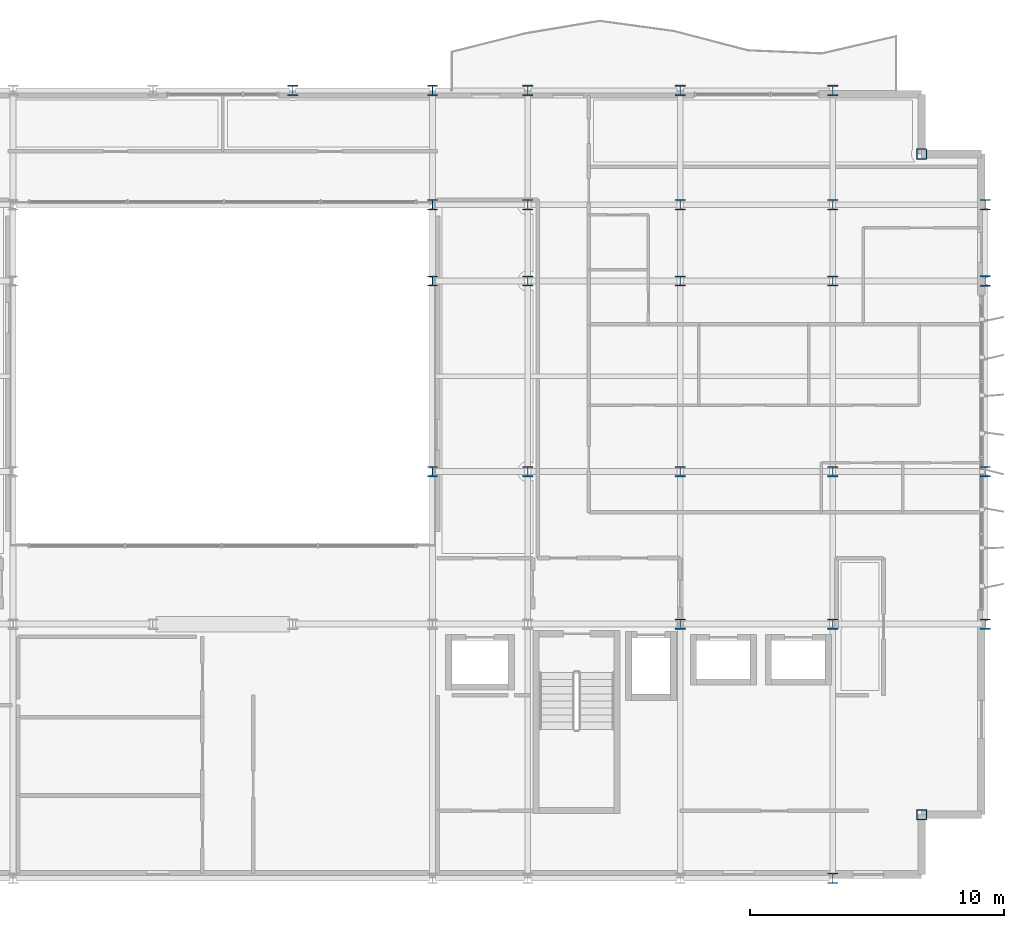
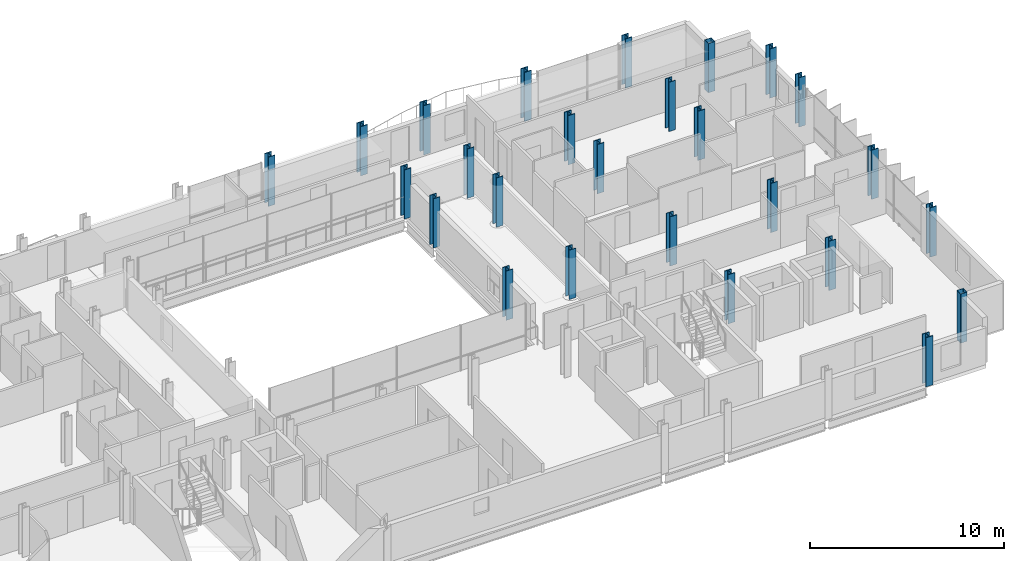
# One storey, part 2 of 38: 26 columns.
"""IFC4 building model written with IfcOpenShell, lengths in metres."""

from ifc_helpers import new_model, si_unit, direction, frame, origin, origin_2d, place, context, subcontext, project, spatial, hollow_rectangle, i_section, extrude, material, material_profile, profile_set, type_object, element, save


model = new_model("IFC4")

# Units and contexts
model_context = context("Model", 3, precision=1e-05, world=origin(), true_north=direction((0.0, 1.0)))
body_context = subcontext(model_context, "Body", "Model", "MODEL_VIEW")
ifc_project = project(units=[si_unit("LENGTHUNIT", "METRE"), si_unit("AREAUNIT", "SQUARE_METRE"), si_unit("VOLUMEUNIT", "CUBIC_METRE"), si_unit("PLANEANGLEUNIT", "RADIAN"), si_unit("MASSUNIT", "GRAM", prefix="KILO")], contexts=[model_context])

# Site, building, storey
site_placement = place(None, origin())
site = spatial("IfcSite", under=ifc_project, at=site_placement, CompositionType="ELEMENT")
building_placement = place(site_placement, origin())
building = spatial("IfcBuilding", under=site, at=building_placement, Name="Brevholm Reach", CompositionType="ELEMENT")
storey_placement = place(building_placement, frame((0.0, 0.0, 166.60009765625)))
storey = spatial("IfcBuildingStorey", under=building, at=storey_placement, Name="L50", CompositionType="ELEMENT", Elevation=166.60009765625)

# Columns
ifc_material_1 = material(Name="Structural Steel S460NH", Category="steel")
ifc_material_profile_1 = material_profile(ifc_material_1, hollow_rectangle(XDim=0.39990234375, YDim=0.39990234375, WallThickness=0.02001953125, InnerFilletRadius=0.011962890625, OuterFilletRadius=0.02392578125, at=origin_2d()), Name="SHS 400x400x20")
ifc_profile_set_1 = profile_set([ifc_material_profile_1], Name="Structural Steel S460NH")
column_type_1 = type_object("IfcColumnType", Name="COL-SHS2", PredefinedType="COLUMN", material=ifc_profile_set_1)
for number, where, z_axis, x_axis, name in (
    (1, (57.5, 2.5, 0.0), (0.0, 0.0, 1.0), (1.0, 0.0, 0.0), "L50 Column 59"),
    (2, (57.5, 28.5, 0.0), (0.0, 0.0, 1.0), (1.0, 0.0, 0.0), "L50 Column 60"),
):
    element("IfcColumn", number, at=place(storey_placement, frame(where, z_axis=z_axis, x_axis=x_axis)), inside=storey, type_object=column_type_1, Name=name, PredefinedType="COLUMN", context=body_context, shape_type="SweptSolid", body=[
        extrude(hollow_rectangle(XDim=0.39990234375, YDim=0.39990234375, WallThickness=0.02001953125, InnerFilletRadius=0.011962890625, OuterFilletRadius=0.02392578125, at=origin_2d()), origin(), (0.0, 0.0, 1.0), 3.099853515625),
    ])
ifc_material_2 = material(Name="Structural Steel S355J2", Category="steel")
ifc_material_profile_2 = material_profile(ifc_material_2, i_section(OverallWidth=0.406982421875, OverallDepth=0.4189453125, WebThickness=0.030517578125, FlangeThickness=0.04931640625, FilletRadius=0.01513671875, at=origin_2d()), Name="UKC 356x406x393")
ifc_profile_set_2 = profile_set([ifc_material_profile_2], Name="Structural Steel S355J2")
column_type_2 = type_object("IfcColumnType", Name="COL-UC4", PredefinedType="COLUMN", material=ifc_profile_set_2)
for number, where, z_axis, x_axis, name in (
    (3, (32.75, 31.0, 0.0), (0.0, 0.0, 1.0), (1.0, 0.0, 0.0), "L50 Column 34"),
    (4, (38.25, 31.0, 0.0), (0.0, 0.0, 1.0), (1.0, 0.0, 0.0), "L50 Column 40"),
    (5, (42.0, 31.0, 0.0), (0.0, 0.0, 1.0), (1.0, 0.0, 0.0), "L50 Column 46"),
    (6, (48.0, 31.0, 0.0), (0.0, 0.0, 1.0), (1.0, 0.0, 0.0), "L50 Column 52"),
    (7, (54.0, 0.0, 0.0), (0.0, 0.0, 1.0), (1.0, 0.0, 0.0), "L50 Column 53"),
    (8, (54.0, 31.0, 0.0), (0.0, 0.0, 1.0), (1.0, 0.0, 0.0), "L50 Column 58"),
    (9, (60.0, 10.0, 0.0), (0.0, 0.0, 1.0), (1.0, 0.0, 0.0), "L50 Column 61"),
    (10, (60.0, 16.0, 0.0), (0.0, 0.0, 1.0), (1.0, 0.0, 0.0), "L50 Column 62"),
    (11, (60.0, 23.5, 0.0), (0.0, 0.0, 1.0), (1.0, 0.0, 0.0), "L50 Column 63"),
    (12, (60.0, 26.5, 0.0), (0.0, 0.0, 1.0), (1.0, 0.0, 0.0), "L50 Column 64"),
):
    element("IfcColumn", number, at=place(storey_placement, frame(where, z_axis=z_axis, x_axis=x_axis)), inside=storey, type_object=column_type_2, Name=name, PredefinedType="COLUMN", context=body_context, shape_type="SweptSolid", body=[
        extrude(i_section(OverallWidth=0.406982421875, OverallDepth=0.4189453125, WebThickness=0.030517578125, FlangeThickness=0.04931640625, FilletRadius=0.01513671875, at=origin_2d()), origin(), (0.0, 0.0, 1.0), 3.099853515625),
    ])
ifc_material_3 = material(Name="Structural Steel S355J2", Category="steel")
ifc_material_profile_3 = material_profile(ifc_material_3, i_section(OverallWidth=0.403076171875, OverallDepth=0.406494140625, WebThickness=0.026611328125, FlangeThickness=0.04296875, FilletRadius=0.01513671875, at=origin_2d()), Name="UKC 356x406x340")
ifc_profile_set_3 = profile_set([ifc_material_profile_3], Name="Structural Steel S355J2")
column_type_3 = type_object("IfcColumnType", Name="COL-UC5", PredefinedType="COLUMN", material=ifc_profile_set_3)
for number, where, z_axis, x_axis, name in (
    (13, (38.25, 16.0, 0.0), (0.0, 0.0, 1.0), (1.0, 0.0, 0.0), "L50 Column 37"),
    (14, (38.25, 23.5, 0.0), (0.0, 0.0, 1.0), (1.0, 0.0, 0.0), "L50 Column 38"),
    (15, (38.25, 26.5, 0.0), (0.0, 0.0, 1.0), (1.0, 0.0, 0.0), "L50 Column 39"),
    (16, (42.0, 16.0, 0.0), (0.0, 0.0, 1.0), (1.0, 0.0, 0.0), "L50 Column 43"),
    (17, (42.0, 23.5, 0.0), (0.0, 0.0, 1.0), (1.0, 0.0, 0.0), "L50 Column 44"),
    (18, (42.0, 26.5, 0.0), (0.0, 0.0, 1.0), (1.0, 0.0, 0.0), "L50 Column 45"),
    (19, (48.0, 10.0, 0.0), (0.0, 0.0, 1.0), (1.0, 0.0, 0.0), "L50 Column 48"),
    (20, (48.0, 16.0, 0.0), (0.0, 0.0, 1.0), (1.0, 0.0, 0.0), "L50 Column 49"),
    (21, (48.0, 23.5, 0.0), (0.0, 0.0, 1.0), (1.0, 0.0, 0.0), "L50 Column 50"),
    (22, (48.0, 26.5, 0.0), (0.0, 0.0, 1.0), (1.0, 0.0, 0.0), "L50 Column 51"),
    (23, (54.0, 10.0, 0.0), (0.0, 0.0, 1.0), (1.0, 0.0, 0.0), "L50 Column 54"),
    (24, (54.0, 16.0, 0.0), (0.0, 0.0, 1.0), (1.0, 0.0, 0.0), "L50 Column 55"),
    (25, (54.0, 23.5, 0.0), (0.0, 0.0, 1.0), (1.0, 0.0, 0.0), "L50 Column 56"),
    (26, (54.0, 26.5, 0.0), (0.0, 0.0, 1.0), (1.0, 0.0, 0.0), "L50 Column 57"),
):
    element("IfcColumn", number, at=place(storey_placement, frame(where, z_axis=z_axis, x_axis=x_axis)), inside=storey, type_object=column_type_3, Name=name, PredefinedType="COLUMN", context=body_context, shape_type="SweptSolid", body=[
        extrude(i_section(OverallWidth=0.403076171875, OverallDepth=0.406494140625, WebThickness=0.026611328125, FlangeThickness=0.04296875, FilletRadius=0.01513671875, at=origin_2d()), origin(), (0.0, 0.0, 1.0), 3.099853515625),
    ])

save(model, "model.ifc")
